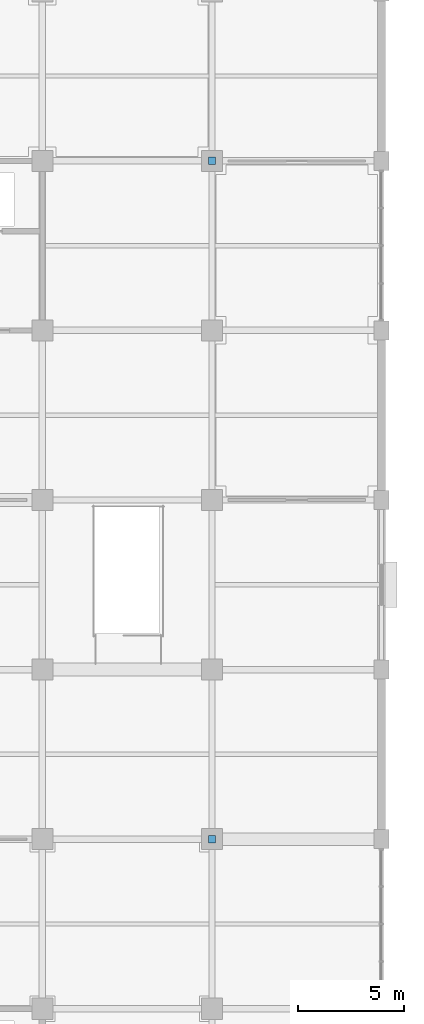
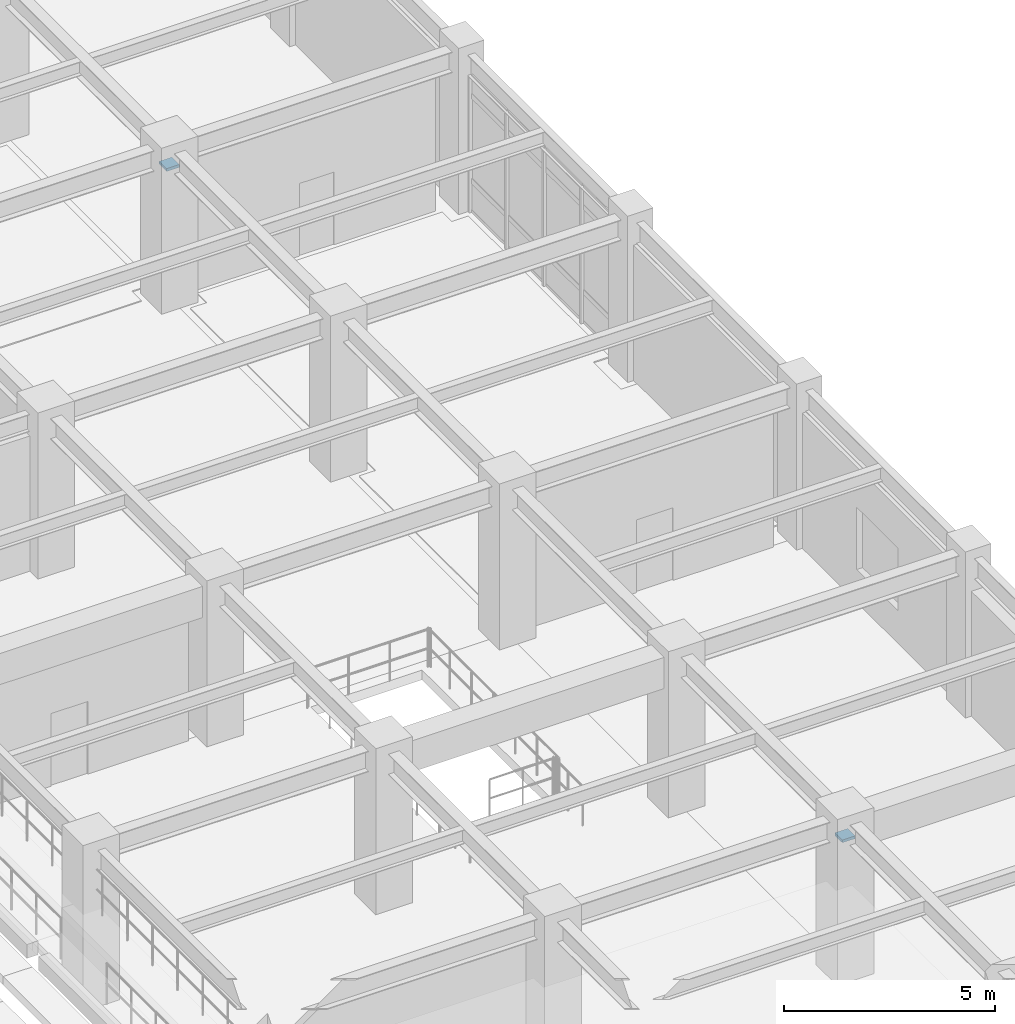
# One storey, part 92 of 117: 2 discrete accessories.
"""IFC4 building model written with IfcOpenShell, lengths in metres."""

from ifc_helpers import new_model, si_unit, direction, frame, origin, origin_2d, place, context, subcontext, project, spatial, rectangle, extrude, material, layer, layer_set, type_object, element, save


model = new_model("IFC4")

# Units and contexts
model_context = context("Model", 3, precision=1e-05, world=origin(), true_north=direction((0.0, 1.0)))
body_context = subcontext(model_context, "Body", "Model", "MODEL_VIEW")
ifc_project = project(units=[si_unit("LENGTHUNIT", "METRE"), si_unit("AREAUNIT", "SQUARE_METRE"), si_unit("VOLUMEUNIT", "CUBIC_METRE"), si_unit("PLANEANGLEUNIT", "RADIAN"), si_unit("MASSUNIT", "GRAM", prefix="KILO")], contexts=[model_context])

# Site, building, storey
site_placement = place(None, origin())
site = spatial("IfcSite", under=ifc_project, at=site_placement, CompositionType="ELEMENT")
building_placement = place(site_placement, origin())
building = spatial("IfcBuilding", under=site, at=building_placement, Name="Haebicheon Civic Stadium", CompositionType="ELEMENT")
storey_placement = place(building_placement, frame((0.0, 0.0, 4.800048828125)))
storey = spatial("IfcBuildingStorey", under=building, at=storey_placement, Name="L02", CompositionType="ELEMENT", Elevation=4.800048828125)

# Discrete accessories
ifc_material = material(Name="Steel SM490", Category="steel")
ifc_layer = layer(ifc_material, 0.080078125, Name="Steel SM490")
ifc_layer_set = layer_set([ifc_layer], Name="Steel SM490")
discrete_accessory_type = type_object("IfcDiscreteAccessoryType", Name="BRG-PTFE-350", PredefinedType="SHOE", material=ifc_layer_set)
for number, where, z_axis, x_axis, name in (
    (1, (160.0, 80.0, 3.81982421875), (0.0, 0.0, 1.0), (1.0, 0.0, 0.0), "Movement joint unguided PTFE sliding bearing 6"),
    (2, (160.0, 112.0, 3.81982421875), (0.0, 0.0, 1.0), (1.0, 0.0, 0.0), "Movement joint unguided PTFE sliding bearing 7"),
):
    element("IfcDiscreteAccessory", number, at=place(storey_placement, frame(where, z_axis=z_axis, x_axis=x_axis)), inside=storey, type_object=discrete_accessory_type, material=ifc_layer_set, Name=name, PredefinedType="SHOE", context=body_context, shape_type="SweptSolid", body=[
        extrude(rectangle(XDim=0.35009765625, YDim=0.35009765625, at=origin_2d()), origin(), (0.0, 0.0, 1.0), 0.080078125),
    ])

save(model, "model.ifc")
